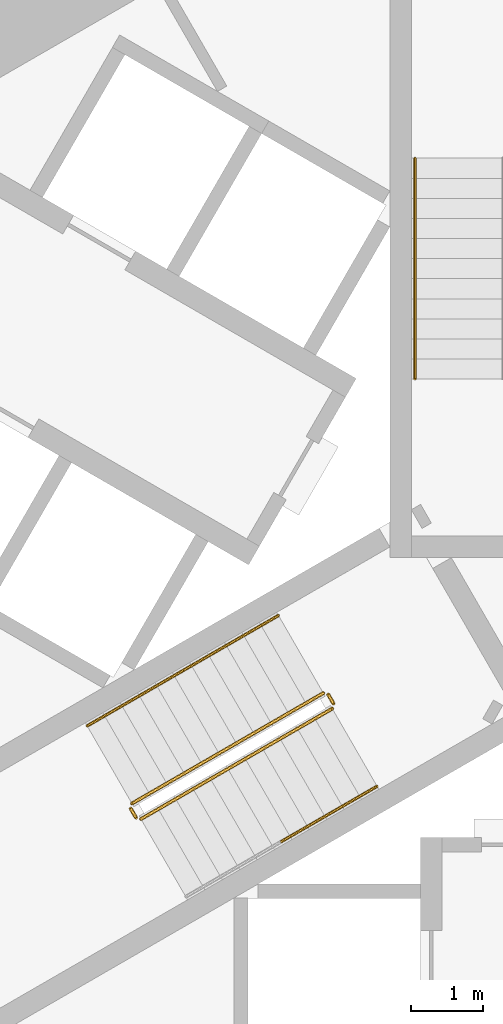
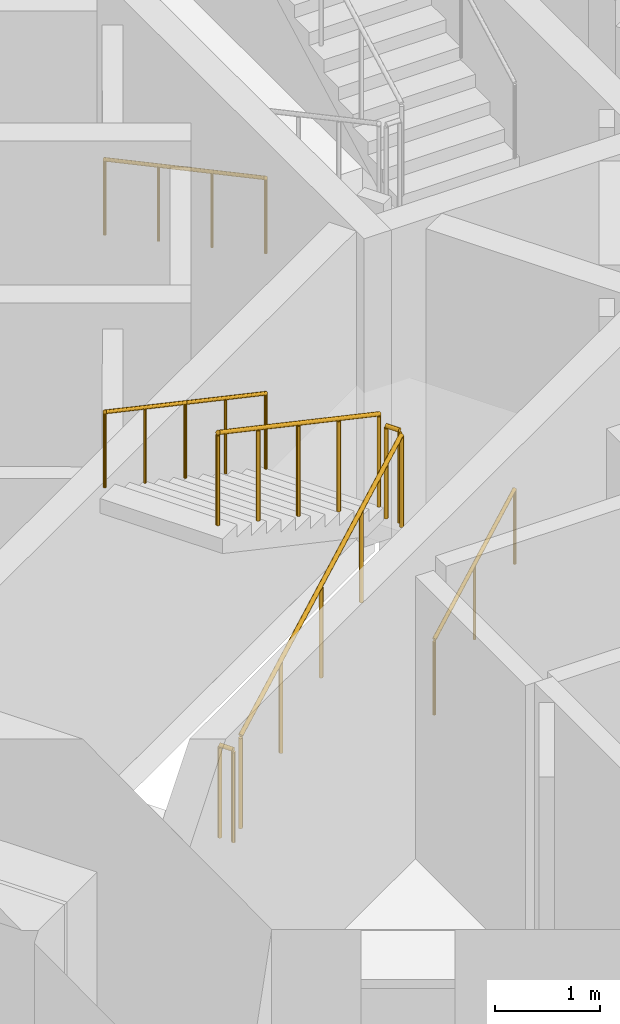
# One storey, part 16 of 20: 8 railings.
"""IFC4 building model written with IfcOpenShell, lengths in metres."""

from ifc_helpers import new_model, si_unit, direction, frame, origin, origin_2d, place, context, subcontext, project, spatial, circle, extrude, material, type_object, element, save


model = new_model("IFC4")

# Units and contexts
model_context = context("Model", 3, precision=1e-05, world=origin(), true_north=direction((0.0, 1.0)))
body_context = subcontext(model_context, "Body", "Model", "MODEL_VIEW")
ifc_project = project(units=[si_unit("LENGTHUNIT", "METRE"), si_unit("AREAUNIT", "SQUARE_METRE"), si_unit("VOLUMEUNIT", "CUBIC_METRE"), si_unit("PLANEANGLEUNIT", "RADIAN"), si_unit("MASSUNIT", "GRAM", prefix="KILO")], contexts=[model_context])

# Site, building, storey
site_placement = place(None, origin())
site = spatial("IfcSite", under=ifc_project, at=site_placement, CompositionType="ELEMENT")
building_placement = place(site_placement, origin())
building = spatial("IfcBuilding", under=site, at=building_placement, Name="Trine Commons Tower", CompositionType="ELEMENT")
storey_placement = place(building_placement, frame((0.0, 0.0, 50.39990234375)))
storey = spatial("IfcBuildingStorey", under=building, at=storey_placement, Name="L11", CompositionType="ELEMENT", Elevation=50.39990234375)

# Railings
ifc_material_1 = material(Name="Stainless steel balustrade", Category="steel")
railing_type_1 = type_object("IfcRailingType", Name="Stair guard, steel balustrade 1100", PredefinedType="GUARDRAIL", material=ifc_material_1)
railing_1_placement = place(storey_placement, frame((74.80517578125, 59.3564453125, 0.150146484375)))
element("IfcRailing", 1, at=railing_1_placement, inside=storey, type_object=railing_type_1, Name="L11 ST2A stair guard 1", PredefinedType="GUARDRAIL", context=body_context, shape_type="SweptSolid", body=[
    extrude(circle(Radius=0.02392578125, at=origin_2d()), frame((0.0, 0.0, 1.076171875), z_axis=(0.76340495495, 0.440743040072, 0.472184759798), x_axis=(-0.499992328818, 0.866029832698, 0.0)), (0.0, 0.0, 1.0), 3.494140625),
    extrude(circle(Radius=0.02099609375, at=origin_2d()), origin(), (0.0, 0.0, 1.0), 1.052001953125),
    extrude(circle(Radius=0.02099609375, at=origin_2d()), frame((0.6669921875, 0.385009765625, 0.41259765625)), (0.0, 0.0, 1.0), 1.052001953125),
    extrude(circle(Radius=0.02099609375, at=origin_2d()), frame((1.333740234375, 0.77001953125, 0.824951171875)), (0.0, 0.0, 1.0), 1.052001953125),
    extrude(circle(Radius=0.02099609375, at=origin_2d()), frame((2.00048828125, 1.155029296875, 1.2373046875)), (0.0, 0.0, 1.0), 1.052001953125),
    extrude(circle(Radius=0.02099609375, at=origin_2d()), frame((2.66748046875, 1.5400390625, 1.64990234375)), (0.0, 0.0, 1.0), 1.052001953125),
])
railing_2_placement = place(storey_placement, frame((77.490966796875, 60.96484375, 1.800048828125)))
element("IfcRailing", 2, at=railing_2_placement, inside=storey, type_object=railing_type_1, Name="L11 ST2A stair guard 2", PredefinedType="GUARDRAIL", context=body_context, shape_type="SweptSolid", body=[
    extrude(circle(Radius=0.02392578125, at=origin_2d()), frame((0.0, 0.0, 1.076171875), z_axis=(-0.501036270542, 0.865426285481, 0.0), x_axis=(-0.865426285481, -0.501036270542, 0.0)), (0.0, 0.0, 1.0), 0.150146484375),
    extrude(circle(Radius=0.02099609375, at=origin_2d()), origin(), (0.0, 0.0, 1.0), 1.052001953125),
    extrude(circle(Radius=0.02099609375, at=origin_2d()), frame((-0.0751953125, 0.1298828125, 0.0)), (0.0, 0.0, 1.0), 1.052001953125),
])
railing_3_placement = place(storey_placement, frame((77.34765625, 61.113037109375, 1.9501953125)))
element("IfcRailing", 3, at=railing_3_placement, inside=storey, type_object=railing_type_1, Name="L11 ST2A stair guard 3", PredefinedType="GUARDRAIL", context=body_context, shape_type="SweptSolid", body=[
    extrude(circle(Radius=0.02392578125, at=origin_2d()), frame((0.0, 0.0, 1.076171875), z_axis=(-0.76340495495, -0.440743040072, 0.472184759798), x_axis=(0.499992328818, -0.866029832698, 0.0)), (0.0, 0.0, 1.0), 3.494140625),
    extrude(circle(Radius=0.02099609375, at=origin_2d()), origin(), (0.0, 0.0, 1.0), 1.052001953125),
    extrude(circle(Radius=0.02099609375, at=origin_2d()), frame((-0.6669921875, -0.385009765625, 0.41259765625)), (0.0, 0.0, 1.0), 1.052001953125),
    extrude(circle(Radius=0.02099609375, at=origin_2d()), frame((-1.333740234375, -0.77001953125, 0.824951171875)), (0.0, 0.0, 1.0), 1.052001953125),
    extrude(circle(Radius=0.02099609375, at=origin_2d()), frame((-2.00048828125, -1.155029296875, 1.2373046875)), (0.0, 0.0, 1.0), 1.052001953125),
    extrude(circle(Radius=0.02099609375, at=origin_2d()), frame((-2.66748046875, -1.5400390625, 1.64990234375)), (0.0, 0.0, 1.0), 1.052001953125),
])
railing_4_placement = place(storey_placement, frame((74.73681640625, 59.374755859375, 0.0)))
element("IfcRailing", 4, at=railing_4_placement, inside=storey, type_object=railing_type_1, Name="L11 ST2A stair guard 4", PredefinedType="GUARDRAIL", context=body_context, shape_type="SweptSolid", body=[
    extrude(circle(Radius=0.02392578125, at=origin_2d()), frame((0.0, 0.0, 1.076171875), z_axis=(-0.499816412211, 0.866131372301, 0.0), x_axis=(-0.866131372301, -0.499816412211, 0.0)), (0.0, 0.0, 1.0), 0.14990234375),
    extrude(circle(Radius=0.02099609375, at=origin_2d()), origin(), (0.0, 0.0, 1.0), 1.052001953125),
    extrude(circle(Radius=0.02099609375, at=origin_2d()), frame((-0.074951171875, 0.1298828125, 0.0)), (0.0, 0.0, 1.0), 1.052001953125),
])
ifc_material_2 = material(Name="Stainless steel handrail", Category="steel")
railing_type_2 = type_object("IfcRailingType", Name="Stair handrail, steel 900", PredefinedType="HANDRAIL", material=ifc_material_2)
railing_5_placement = place(storey_placement, frame((78.625, 68.570556640625, 0.150146484375)))
element("IfcRailing", 5, at=railing_5_placement, inside=storey, type_object=railing_type_2, Name="L11 ST1A stair handrail 1", PredefinedType="HANDRAIL", context=body_context, shape_type="SweptSolid", body=[
    extrude(circle(Radius=0.02099609375, at=origin_2d()), frame((0.0, 0.0, 0.87890625), z_axis=(0.0, -0.881496589024, 0.472190389079), x_axis=(1.0, 0.0, 0.0)), (0.0, 0.0, 1.0), 3.494140625),
    extrude(circle(Radius=0.01513671875, at=origin_2d()), origin(), (0.0, 0.0, 1.0), 0.85791015625),
    extrude(circle(Radius=0.01513671875, at=origin_2d()), frame((0.0, -1.026611328125, 0.550048828125)), (0.0, 0.0, 1.0), 0.85791015625),
    extrude(circle(Radius=0.01513671875, at=origin_2d()), frame((0.0, -2.053466796875, 1.099853515625)), (0.0, 0.0, 1.0), 0.85791015625),
    extrude(circle(Radius=0.01513671875, at=origin_2d()), frame((0.0, -3.080078125, 1.64990234375)), (0.0, 0.0, 1.0), 0.85791015625),
])
railing_6_placement = place(storey_placement, frame((76.763916015625, 59.0439453125, 0.97509765625)))
element("IfcRailing", 6, at=railing_6_placement, inside=storey, type_object=railing_type_2, Name="L11 ST2A stair handrail 2", PredefinedType="HANDRAIL", context=body_context, shape_type="SweptSolid", body=[
    extrude(circle(Radius=0.02099609375, at=origin_2d()), frame((0.0, 0.0, 0.87890625), z_axis=(0.76340495495, 0.440743040072, 0.472184759798), x_axis=(-0.499992328818, 0.866029832698, 0.0)), (0.0, 0.0, 1.0), 1.7470703125),
    extrude(circle(Radius=0.01513671875, at=origin_2d()), origin(), (0.0, 0.0, 1.0), 0.85791015625),
    extrude(circle(Radius=0.01513671875, at=origin_2d()), frame((0.6669921875, 0.385009765625, 0.41259765625)), (0.0, 0.0, 1.0), 0.85791015625),
    extrude(circle(Radius=0.01513671875, at=origin_2d()), frame((1.333740234375, 0.77001953125, 0.824951171875)), (0.0, 0.0, 1.0), 0.85791015625),
])
for number, where, name in (
    (7, (76.72265625, 62.195556640625, 1.9501953125), "L11 ST2A stair handrail 3"),
    (8, (75.388916015625, 61.425537109375, 2.775146484375), "L11 ST2A stair handrail 4"),
):
    element("IfcRailing", number, at=place(storey_placement, frame(where)), inside=storey, type_object=railing_type_2, Name=name, PredefinedType="HANDRAIL", context=body_context, shape_type="SweptSolid", body=[
        extrude(circle(Radius=0.02099609375, at=origin_2d()), frame((0.0, 0.0, 0.87890625), z_axis=(-0.76340495495, -0.440743040072, 0.472184759798), x_axis=(0.499992328818, -0.866029832698, 0.0)), (0.0, 0.0, 1.0), 1.7470703125),
        extrude(circle(Radius=0.01513671875, at=origin_2d()), origin(), (0.0, 0.0, 1.0), 0.85791015625),
        extrude(circle(Radius=0.01513671875, at=origin_2d()), frame((-0.6669921875, -0.385009765625, 0.41259765625)), (0.0, 0.0, 1.0), 0.85791015625),
        extrude(circle(Radius=0.01513671875, at=origin_2d()), frame((-1.333740234375, -0.77001953125, 0.824951171875)), (0.0, 0.0, 1.0), 0.85791015625),
    ])

save(model, "model.ifc")
